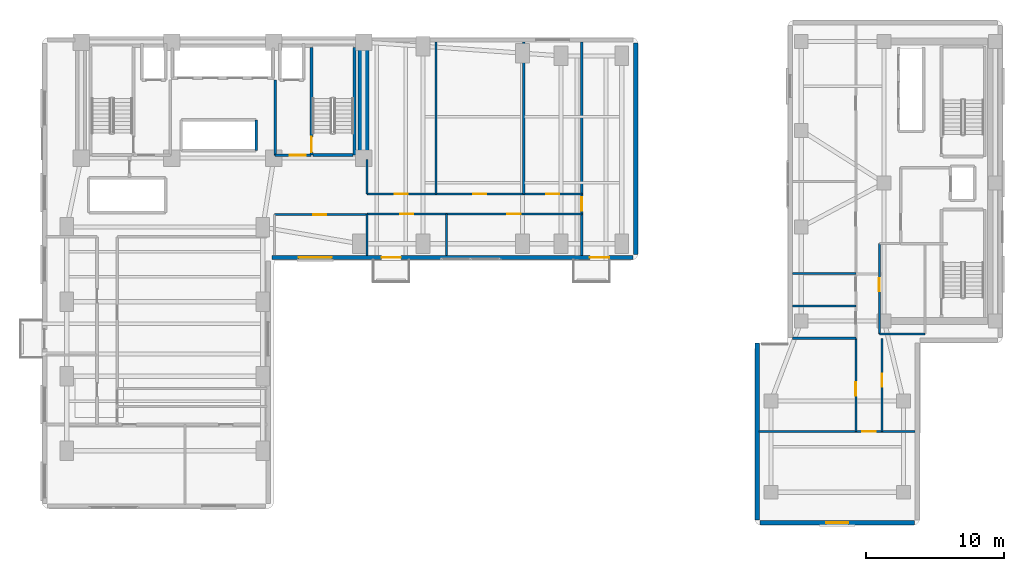
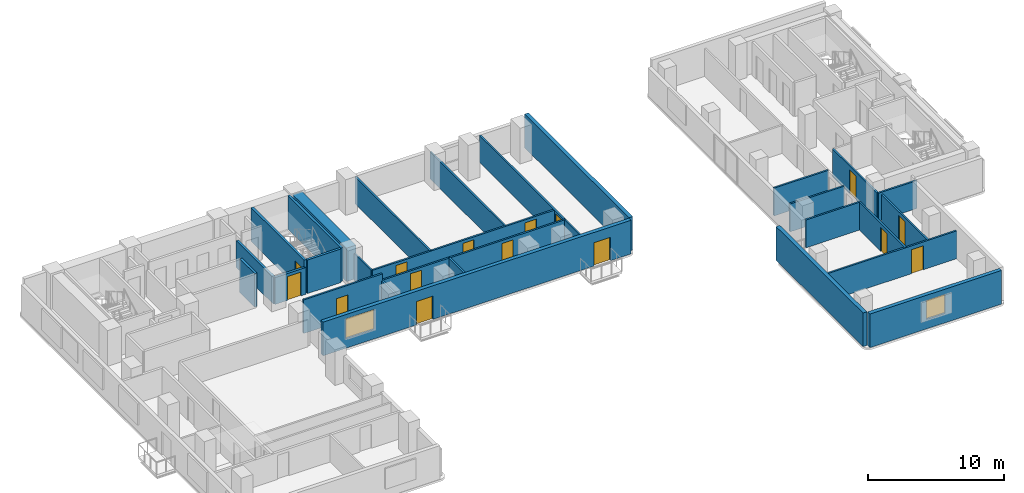
# One storey, part 11 of 17: 28 walls, 15 doors, 2 windows, 17 openings.
"""IFC4 building model written with IfcOpenShell, lengths in metres."""

from ifc_helpers import new_model, si_unit, direction, frame, frame_2d, origin, place, context, subcontext, project, spatial, rectangle, extrude, material, layer, layer_set, type_object, element, fill, save


model = new_model("IFC4")

# Units and contexts
model_context = context("Model", 3, precision=1e-05, world=origin(), true_north=direction((0.0, 1.0)))
body_context = subcontext(model_context, "Body", "Model", "MODEL_VIEW")
ifc_project = project(units=[si_unit("LENGTHUNIT", "METRE"), si_unit("AREAUNIT", "SQUARE_METRE"), si_unit("VOLUMEUNIT", "CUBIC_METRE"), si_unit("PLANEANGLEUNIT", "RADIAN"), si_unit("MASSUNIT", "GRAM", prefix="KILO")], contexts=[model_context])

# Site, building, storey
site_placement = place(None, origin())
site = spatial("IfcSite", under=ifc_project, at=site_placement, CompositionType="ELEMENT")
building_placement = place(site_placement, origin())
building = spatial("IfcBuilding", under=site, at=building_placement, Name="Kuzgunbayir Cultural Tower", CompositionType="ELEMENT")
storey_placement = place(building_placement, frame((0.0, 0.0, 46.800048828125)))
storey = spatial("IfcBuildingStorey", under=building, at=storey_placement, Name="L12", CompositionType="ELEMENT", Elevation=46.800048828125)

# Wall
ifc_material_1 = material(Name="Concrete C60/75", Category="concrete")
ifc_layer_1 = layer(ifc_material_1, 0.800048828125)
ifc_layer_set_1 = layer_set([ifc_layer_1], Name="Concrete C60/75")
wall_type_1 = type_object("IfcWallType", Name="WAL-CORE-800", PredefinedType="SHEAR", material=ifc_layer_set_1)
wall_1_placement = place(storey_placement, frame((26.89990234375, 33.800048828125, 0.0), z_axis=(0.0, 0.0, 1.0), x_axis=(0.0, 1.0, 0.0)))
element("IfcWall", 1, at=wall_1_placement, inside=storey, type_object=wall_type_1, Name="L12 T1 Core East Shear Wall", PredefinedType="SHEAR", context=body_context, shape_type="SweptSolid", body=[
    extrude(rectangle(XDim=7.949951171875, YDim=0.800048828125, at=frame_2d((3.97509765625, 0.0))), origin(), (0.0, 0.0, 1.0), 3.02001953125),
])

# Wall, openings, doors, window
ifc_material_2 = material(Name="Travertine Buff Ashlar", Category="masonry")
ifc_layer_2 = layer(ifc_material_2, 0.320068359375)
ifc_layer_set_2 = layer_set([ifc_layer_2], Name="Travertine Buff Ashlar")
wall_type_2 = type_object("IfcWallType", Name="WAL-EXT-STONE-320", PredefinedType="STANDARD", material=ifc_layer_set_2)
wall_2_placement = place(storey_placement, frame((20.25, 26.60009765625, 0.0), z_axis=(0.0, 0.0, 1.0), x_axis=(1.0, 0.0, 0.0)))
wall_2 = element("IfcWall", 2, at=wall_2_placement, inside=storey, type_object=wall_type_2, Name="L12 Wing B South Limestone Wall", PredefinedType="STANDARD", context=body_context, shape_type="SweptSolid", body=[
    extrude(rectangle(XDim=26.14990234375, YDim=0.320068359375, at=frame_2d((13.074951171875, 0.0))), origin(), (0.0, 0.0, 1.0), 3.02001953125),
])
opening_1_placement = place(wall_2_placement, frame((7.949951171875, 0.0, 0.0)))
opening_1 = element("IfcOpeningElement", 3, at=opening_1_placement, cuts=wall_2, Name="Opening BD-15", PredefinedType="OPENING", context=body_context, shape_type="SweptSolid", body=[
    extrude(rectangle(XDim=1.39990234375, YDim=2.10009765625, at=frame_2d((0.699951171875, 1.050048828125))), frame((0.0, 0.169921875, 0.0), z_axis=(0.0, -1.0, 0.0), x_axis=(1.0, 0.0, 0.0)), (0.0, 0.0, 1.0), 0.340087890625),
])
opening_2_placement = place(wall_2_placement, frame((23.030029296875, 0.0, 0.0)))
opening_2 = element("IfcOpeningElement", 4, at=opening_2_placement, cuts=wall_2, Name="Opening BD-15", PredefinedType="OPENING", context=body_context, shape_type="SweptSolid", body=[
    extrude(rectangle(XDim=1.39990234375, YDim=2.10009765625, at=frame_2d((0.699951171875, 1.050048828125))), frame((0.0, 0.169921875, 0.0), z_axis=(0.0, -1.0, 0.0), x_axis=(1.0, 0.0, 0.0)), (0.0, 0.0, 1.0), 0.340087890625),
])
opening_3_placement = place(wall_2_placement, frame((1.949951171875, 0.0, 0.85009765625)))
opening_3 = element("IfcOpeningElement", 5, at=opening_3_placement, cuts=wall_2, Name="Opening WO-24", PredefinedType="OPENING", context=body_context, shape_type="SweptSolid", body=[
    extrude(rectangle(XDim=2.39990234375, YDim=1.800048828125, at=frame_2d((1.199951171875, 0.89990234375))), frame((0.0, 0.169921875, 0.0), z_axis=(0.0, -1.0, 0.0), x_axis=(1.0, 0.0, 0.0)), (0.0, 0.0, 1.0), 0.340087890625),
])
ifc_material_3 = material(Name="Thermally Broken Glazed Aluminium", Category="aluminium")
door_type_1 = type_object("IfcDoorType", Name="DR-BALCONY-150", OperationType="SLIDING_TO_RIGHT", PredefinedType="DOOR", material=ifc_material_3)
door_1_placement = place(opening_1_placement, origin())
door_1 = element("IfcDoor", 6, at=door_1_placement, inside=storey, type_object=door_type_1, Name="L12 South Balcony Sliding Door BAL-L12-WB1", OperationType="SLIDING_TO_RIGHT", OverallHeight=2.10009765625, OverallWidth=1.39990234375, PredefinedType="DOOR", context=body_context, shape_type="SweptSolid", body=[
    extrude(rectangle(XDim=1.39990234375, YDim=2.10009765625, at=frame_2d((0.699951171875, 1.050048828125))), frame((0.0, 0.02490234375, 0.0), z_axis=(0.0, -1.0, 0.0), x_axis=(1.0, 0.0, 0.0)), (0.0, 0.0, 1.0), 0.050048828125),
])
fill(opening_1, door_1)
door_2_placement = place(opening_2_placement, origin())
door_2 = element("IfcDoor", 7, at=door_2_placement, inside=storey, type_object=door_type_1, Name="L12 South Balcony Sliding Door BAL-L12-WB3", OperationType="SLIDING_TO_RIGHT", OverallHeight=2.10009765625, OverallWidth=1.39990234375, PredefinedType="DOOR", context=body_context, shape_type="SweptSolid", body=[
    extrude(rectangle(XDim=1.39990234375, YDim=2.10009765625, at=frame_2d((0.699951171875, 1.050048828125))), frame((0.0, 0.02490234375, 0.0), z_axis=(0.0, -1.0, 0.0), x_axis=(1.0, 0.0, 0.0)), (0.0, 0.0, 1.0), 0.050048828125),
])
fill(opening_2, door_2)
ifc_material_4 = material(Name="Solar-Control Triple Glazing", Category="glass")
window_type_1 = type_object("IfcWindowType", Name="WIN-OFFICE-24", PartitioningType="SINGLE_PANEL", PredefinedType="WINDOW", material=ifc_material_4)
window_1_placement = place(opening_3_placement, origin())
window_1 = element("IfcWindow", 8, at=window_1_placement, inside=storey, type_object=window_type_1, Name="L12 WBS Facade Window 9", OverallHeight=1.800048828125, OverallWidth=2.39990234375, PartitioningType="SINGLE_PANEL", PredefinedType="WINDOW", context=body_context, shape_type="SweptSolid", body=[
    extrude(rectangle(XDim=2.39990234375, YDim=1.800048828125, at=frame_2d((1.199951171875, 0.89990234375))), frame((0.0, 0.030029296875, 0.0), z_axis=(0.0, -1.0, 0.0), x_axis=(1.0, 0.0, 0.0)), (0.0, 0.0, 1.0), 0.06005859375),
])
fill(opening_3, window_1)

# Wall
wall_3_placement = place(storey_placement, frame((46.60009765625, 26.800048828125, 0.0), z_axis=(0.0, 0.0, 1.0), x_axis=(0.0, 1.0, 0.0)))
element("IfcWall", 9, at=wall_3_placement, inside=storey, type_object=wall_type_2, Name="L12 Wing B East Limestone Wall", PredefinedType="STANDARD", context=body_context, shape_type="SweptSolid", body=[
    extrude(rectangle(XDim=15.349853515625, YDim=0.320068359375, at=frame_2d((7.6748046875, 0.0))), origin(), (0.0, 0.0, 1.0), 3.02001953125),
])

# Wall, opening, window
wall_4_placement = place(storey_placement, frame((55.60009765625, 7.39990234375, 0.0), z_axis=(0.0, 0.0, 1.0), x_axis=(1.0, 0.0, 0.0)))
wall_4 = element("IfcWall", 10, at=wall_4_placement, inside=storey, type_object=wall_type_2, Name="L12 Companion Wing B South Wall", PredefinedType="STANDARD", context=body_context, shape_type="SweptSolid", body=[
    extrude(rectangle(XDim=11.199951171875, YDim=0.320068359375, at=frame_2d((5.60009765625, 0.0))), origin(), (0.0, 0.0, 1.0), 3.02001953125),
])
opening_4_placement = place(wall_4_placement, frame((4.800048828125, 0.0, 0.85009765625)))
opening_4 = element("IfcOpeningElement", 11, at=opening_4_placement, cuts=wall_4, Name="Opening WC-16", PredefinedType="OPENING", context=body_context, shape_type="SweptSolid", body=[
    extrude(rectangle(XDim=1.60009765625, YDim=1.699951171875, at=frame_2d((0.800048828125, 0.85009765625))), frame((0.0, 0.169921875, 0.0), z_axis=(0.0, -1.0, 0.0), x_axis=(1.0, 0.0, 0.0)), (0.0, 0.0, 1.0), 0.340087890625),
])
window_type_2 = type_object("IfcWindowType", Name="WIN-COMP-16", PartitioningType="SINGLE_PANEL", PredefinedType="WINDOW", material=ifc_material_4)
window_2_placement = place(opening_4_placement, origin())
window_2 = element("IfcWindow", 12, at=window_2_placement, inside=storey, type_object=window_type_2, Name="L12 Companion South Window", OverallHeight=1.699951171875, OverallWidth=1.60009765625, PartitioningType="SINGLE_PANEL", PredefinedType="WINDOW", context=body_context, shape_type="SweptSolid", body=[
    extrude(rectangle(XDim=1.60009765625, YDim=1.699951171875, at=frame_2d((0.800048828125, 0.85009765625))), frame((0.0, 0.030029296875, 0.0), z_axis=(0.0, -1.0, 0.0), x_axis=(1.0, 0.0, 0.0)), (0.0, 0.0, 1.0), 0.06005859375),
])
fill(opening_4, window_2)

# Wall
wall_5_placement = place(storey_placement, frame((55.39990234375, 20.39990234375, 0.0), z_axis=(0.0, 0.0, 1.0), x_axis=(0.0, -1.0, 0.0)))
element("IfcWall", 13, at=wall_5_placement, inside=storey, type_object=wall_type_2, Name="L12 Companion Wing B West Wall", PredefinedType="STANDARD", context=body_context, shape_type="SweptSolid", body=[
    extrude(rectangle(XDim=12.7998046875, YDim=0.320068359375, at=frame_2d((6.39990234375, 0.0))), origin(), (0.0, 0.0, 1.0), 3.02001953125),
])

# Wall, opening, door
ifc_material_5 = material(Name="Acoustic Double-Stud Drywall", Category="gypsum")
ifc_layer_3 = layer(ifc_material_5, 0.14990234375)
ifc_layer_set_3 = layer_set([ifc_layer_3], Name="Acoustic Double-Stud Drywall")
wall_type_3 = type_object("IfcWallType", Name="WAL-PART-ACOUSTIC-150", PredefinedType="PARTITIONING", material=ifc_layer_set_3)
wall_6_placement = place(storey_placement, frame((20.449951171875, 29.699951171875, 0.0), z_axis=(0.0, 0.0, 1.0), x_axis=(1.0, 0.0, 0.0)))
wall_6 = element("IfcWall", 14, at=wall_6_placement, inside=storey, type_object=wall_type_3, Name="L12 Waist Alcove North Wall", PredefinedType="PARTITIONING", context=body_context, shape_type="SweptSolid", body=[
    extrude(rectangle(XDim=6.699951171875, YDim=0.14990234375, at=frame_2d((3.35009765625, 0.0))), origin(), (0.0, 0.0, 1.0), 3.02001953125),
])
opening_5_placement = place(wall_6_placement, frame((2.800048828125, 0.0, 0.0)))
opening_5 = element("IfcOpeningElement", 15, at=opening_5_placement, cuts=wall_6, Name="Opening DI-90", PredefinedType="OPENING", context=body_context, shape_type="SweptSolid", body=[
    extrude(rectangle(XDim=0.949951171875, YDim=2.14990234375, at=frame_2d((0.47509765625, 1.074951171875))), frame((0.0, 0.0849609375, 0.0), z_axis=(0.0, -1.0, 0.0), x_axis=(1.0, 0.0, 0.0)), (0.0, 0.0, 1.0), 0.169921875),
])
ifc_material_6 = material(Name="Veneered Oak Single Leaf", Category="wood")
door_type_2 = type_object("IfcDoorType", Name="DR-INT-90", OperationType="NOTDEFINED", PredefinedType="DOOR", material=ifc_material_6)
door_3_placement = place(opening_5_placement, origin())
door_3 = element("IfcDoor", 16, at=door_3_placement, inside=storey, type_object=door_type_2, Name="L12 Waist Alcove Door", OperationType="SINGLE_SWING_RIGHT", OverallHeight=2.14990234375, OverallWidth=0.949951171875, PredefinedType="DOOR", context=body_context, shape_type="SweptSolid", body=[
    extrude(rectangle(XDim=0.949951171875, YDim=2.14990234375, at=frame_2d((0.47509765625, 1.074951171875))), frame((0.0, 0.02490234375, 0.0), z_axis=(0.0, -1.0, 0.0), x_axis=(1.0, 0.0, 0.0)), (0.0, 0.0, 1.0), 0.050048828125),
])
fill(opening_5, door_3)

# Wall
wall_7_placement = place(storey_placement, frame((27.14990234375, 26.75, 0.0), z_axis=(0.0, 0.0, 1.0), x_axis=(0.0, 1.0, 0.0)))
element("IfcWall", 17, at=wall_7_placement, inside=storey, type_object=wall_type_3, Name="L12 Waist Alcove East Wall", PredefinedType="PARTITIONING", context=body_context, shape_type="SweptSolid", body=[
    extrude(rectangle(XDim=3.0, YDim=0.14990234375, at=frame_2d((1.5, 0.0))), origin(), (0.0, 0.0, 1.0), 2.409912109375),
])

# Wall, openings, doors
wall_8_placement = place(storey_placement, frame((27.14990234375, 29.75, 0.0), z_axis=(0.0, 0.0, 1.0), x_axis=(1.0, 0.0, 0.0)))
wall_8 = element("IfcWall", 18, at=wall_8_placement, inside=storey, type_object=wall_type_3, Name="L12 Wing B Corridor South Wall", PredefinedType="PARTITIONING", context=body_context, shape_type="SweptSolid", body=[
    extrude(rectangle(XDim=15.550048828125, YDim=0.14990234375, at=frame_2d((7.77490234375, 0.0))), origin(), (0.0, 0.0, 1.0), 2.409912109375),
])
opening_6_placement = place(wall_8_placement, frame((2.39990234375, 0.0, 0.0)))
opening_6 = element("IfcOpeningElement", 19, at=opening_6_placement, cuts=wall_8, Name="Opening DI-90", PredefinedType="OPENING", context=body_context, shape_type="SweptSolid", body=[
    extrude(rectangle(XDim=0.949951171875, YDim=2.14990234375, at=frame_2d((0.47509765625, 1.074951171875))), frame((0.0, 0.0849609375, 0.0), z_axis=(0.0, -1.0, 0.0), x_axis=(1.0, 0.0, 0.0)), (0.0, 0.0, 1.0), 0.169921875),
])
opening_7_placement = place(wall_8_placement, frame((10.169921875, 0.0, 0.0)))
opening_7 = element("IfcOpeningElement", 20, at=opening_7_placement, cuts=wall_8, Name="Opening DI-90", PredefinedType="OPENING", context=body_context, shape_type="SweptSolid", body=[
    extrude(rectangle(XDim=0.949951171875, YDim=2.14990234375, at=frame_2d((0.47509765625, 1.074951171875))), frame((0.0, 0.0849609375, 0.0), z_axis=(0.0, -1.0, 0.0), x_axis=(1.0, 0.0, 0.0)), (0.0, 0.0, 1.0), 0.169921875),
])
door_4_placement = place(opening_6_placement, origin())
door_4 = element("IfcDoor", 21, at=door_4_placement, inside=storey, type_object=door_type_2, Name="L12 Wing B Curatorial Office 1 Door", OperationType="SINGLE_SWING_LEFT", OverallHeight=2.14990234375, OverallWidth=0.949951171875, PredefinedType="DOOR", context=body_context, shape_type="SweptSolid", body=[
    extrude(rectangle(XDim=0.949951171875, YDim=2.14990234375, at=frame_2d((0.47509765625, 1.074951171875))), frame((0.0, 0.02490234375, 0.0), z_axis=(0.0, -1.0, 0.0), x_axis=(1.0, 0.0, 0.0)), (0.0, 0.0, 1.0), 0.050048828125),
])
fill(opening_6, door_4)
door_5_placement = place(opening_7_placement, origin())
door_5 = element("IfcDoor", 22, at=door_5_placement, inside=storey, type_object=door_type_2, Name="L12 Wing B Fellows Reading Lounge 2 Door", OperationType="SINGLE_SWING_RIGHT", OverallHeight=2.14990234375, OverallWidth=0.949951171875, PredefinedType="DOOR", context=body_context, shape_type="SweptSolid", body=[
    extrude(rectangle(XDim=0.949951171875, YDim=2.14990234375, at=frame_2d((0.47509765625, 1.074951171875))), frame((0.0, 0.02490234375, 0.0), z_axis=(0.0, -1.0, 0.0), x_axis=(1.0, 0.0, 0.0)), (0.0, 0.0, 1.0), 0.050048828125),
])
fill(opening_7, door_5)

wall_9_placement = place(storey_placement, frame((27.14990234375, 31.199951171875, 0.0), z_axis=(0.0, 0.0, 1.0), x_axis=(1.0, 0.0, 0.0)))
wall_9 = element("IfcWall", 23, at=wall_9_placement, inside=storey, type_object=wall_type_3, Name="L12 Wing B Corridor North Wall", PredefinedType="PARTITIONING", context=body_context, shape_type="SweptSolid", body=[
    extrude(rectangle(XDim=15.550048828125, YDim=0.14990234375, at=frame_2d((7.77490234375, 0.0))), origin(), (0.0, 0.0, 1.0), 2.409912109375),
])
opening_8_placement = place(wall_9_placement, frame((2.010009765625, 0.0, 0.0)))
opening_8 = element("IfcOpeningElement", 24, at=opening_8_placement, cuts=wall_9, Name="Opening DI-90", PredefinedType="OPENING", context=body_context, shape_type="SweptSolid", body=[
    extrude(rectangle(XDim=0.949951171875, YDim=2.14990234375, at=frame_2d((0.47509765625, 1.074951171875))), frame((0.0, 0.0849609375, 0.0), z_axis=(0.0, -1.0, 0.0), x_axis=(1.0, 0.0, 0.0)), (0.0, 0.0, 1.0), 0.169921875),
])
opening_9_placement = place(wall_9_placement, frame((7.679931640625, 0.0, 0.0)))
opening_9 = element("IfcOpeningElement", 25, at=opening_9_placement, cuts=wall_9, Name="Opening DI-90", PredefinedType="OPENING", context=body_context, shape_type="SweptSolid", body=[
    extrude(rectangle(XDim=0.949951171875, YDim=2.14990234375, at=frame_2d((0.47509765625, 1.074951171875))), frame((0.0, 0.0849609375, 0.0), z_axis=(0.0, -1.0, 0.0), x_axis=(1.0, 0.0, 0.0)), (0.0, 0.0, 1.0), 0.169921875),
])
opening_10_placement = place(wall_9_placement, frame((12.969970703125, 0.0, 0.0)))
opening_10 = element("IfcOpeningElement", 26, at=opening_10_placement, cuts=wall_9, Name="Opening DI-90", PredefinedType="OPENING", context=body_context, shape_type="SweptSolid", body=[
    extrude(rectangle(XDim=0.949951171875, YDim=2.14990234375, at=frame_2d((0.47509765625, 1.074951171875))), frame((0.0, 0.0849609375, 0.0), z_axis=(0.0, -1.0, 0.0), x_axis=(1.0, 0.0, 0.0)), (0.0, 0.0, 1.0), 0.169921875),
])
door_6_placement = place(opening_8_placement, origin())
door_6 = element("IfcDoor", 27, at=door_6_placement, inside=storey, type_object=door_type_2, Name="L12 Wing B North Curatorial Office 1 Door", OperationType="SINGLE_SWING_LEFT", OverallHeight=2.14990234375, OverallWidth=0.949951171875, PredefinedType="DOOR", context=body_context, shape_type="SweptSolid", body=[
    extrude(rectangle(XDim=0.949951171875, YDim=2.14990234375, at=frame_2d((0.47509765625, 1.074951171875))), frame((0.0, 0.02490234375, 0.0), z_axis=(0.0, -1.0, 0.0), x_axis=(1.0, 0.0, 0.0)), (0.0, 0.0, 1.0), 0.050048828125),
])
fill(opening_8, door_6)
door_7_placement = place(opening_9_placement, origin())
door_7 = element("IfcDoor", 28, at=door_7_placement, inside=storey, type_object=door_type_2, Name="L12 Wing B North Seminar Boardroom 2 Door", OperationType="SINGLE_SWING_RIGHT", OverallHeight=2.14990234375, OverallWidth=0.949951171875, PredefinedType="DOOR", context=body_context, shape_type="SweptSolid", body=[
    extrude(rectangle(XDim=0.949951171875, YDim=2.14990234375, at=frame_2d((0.47509765625, 1.074951171875))), frame((0.0, 0.02490234375, 0.0), z_axis=(0.0, -1.0, 0.0), x_axis=(1.0, 0.0, 0.0)), (0.0, 0.0, 1.0), 0.050048828125),
])
fill(opening_9, door_7)
door_8_placement = place(opening_10_placement, origin())
door_8 = element("IfcDoor", 29, at=door_8_placement, inside=storey, type_object=door_type_2, Name="L12 Wing B North Wellness Consultation Studio 3 Door", OperationType="SINGLE_SWING_LEFT", OverallHeight=2.14990234375, OverallWidth=0.949951171875, PredefinedType="DOOR", context=body_context, shape_type="SweptSolid", body=[
    extrude(rectangle(XDim=0.949951171875, YDim=2.14990234375, at=frame_2d((0.47509765625, 1.074951171875))), frame((0.0, 0.02490234375, 0.0), z_axis=(0.0, -1.0, 0.0), x_axis=(1.0, 0.0, 0.0)), (0.0, 0.0, 1.0), 0.050048828125),
])
fill(opening_10, door_8)

# Wall
wall_10_placement = place(storey_placement, frame((27.14990234375, 31.199951171875, 0.0), z_axis=(0.0, 0.0, 1.0), x_axis=(0.0, 1.0, 0.0)))
element("IfcWall", 30, at=wall_10_placement, inside=storey, type_object=wall_type_3, Name="L12 Wing B North Core Closure Wall", PredefinedType="PARTITIONING", context=body_context, shape_type="SweptSolid", body=[
    extrude(rectangle(XDim=2.47998046875, YDim=0.14990234375, at=frame_2d((1.239990234375, 0.0))), origin(), (0.0, 0.0, 1.0), 2.409912109375),
])

# Wall, opening, door
wall_11_placement = place(storey_placement, frame((42.699951171875, 26.75, 0.0), z_axis=(0.0, 0.0, 1.0), x_axis=(0.0, 1.0, 0.0)))
wall_11 = element("IfcWall", 31, at=wall_11_placement, inside=storey, type_object=wall_type_3, Name="L12 Wing B East Suite Wall", PredefinedType="PARTITIONING", context=body_context, shape_type="SweptSolid", body=[
    extrude(rectangle(XDim=15.449951171875, YDim=0.14990234375, at=frame_2d((7.72509765625, 0.0))), origin(), (0.0, 0.0, 1.0), 2.409912109375),
])
opening_11_placement = place(wall_11_placement, frame((3.219970703125, 0.0, 0.0)))
opening_11 = element("IfcOpeningElement", 32, at=opening_11_placement, cuts=wall_11, Name="Opening DI-100", PredefinedType="OPENING", context=body_context, shape_type="SweptSolid", body=[
    extrude(rectangle(XDim=1.0, YDim=2.14990234375, at=frame_2d((0.5, 1.074951171875))), frame((0.0, 0.0849609375, 0.0), z_axis=(0.0, -1.0, 0.0), x_axis=(1.0, 0.0, 0.0)), (0.0, 0.0, 1.0), 0.169921875),
])
door_type_3 = type_object("IfcDoorType", Name="DR-INT-100", OperationType="NOTDEFINED", PredefinedType="DOOR", material=ifc_material_6)
door_9_placement = place(opening_11_placement, origin())
door_9 = element("IfcDoor", 33, at=door_9_placement, inside=storey, type_object=door_type_3, Name="L12 East Conference Hall Door", OperationType="SINGLE_SWING_RIGHT", OverallHeight=2.14990234375, OverallWidth=1.0, PredefinedType="DOOR", context=body_context, shape_type="SweptSolid", body=[
    extrude(rectangle(XDim=1.0, YDim=2.14990234375, at=frame_2d((0.5, 1.074951171875))), frame((0.0, 0.02490234375, 0.0), z_axis=(0.0, -1.0, 0.0), x_axis=(1.0, 0.0, 0.0)), (0.0, 0.0, 1.0), 0.050048828125),
])
fill(opening_11, door_9)

# Walls
wall_12_placement = place(storey_placement, frame((32.89990234375, 26.75, 0.0), z_axis=(0.0, 0.0, 1.0), x_axis=(0.0, 1.0, 0.0)))
element("IfcWall", 34, at=wall_12_placement, inside=storey, type_object=wall_type_3, Name="L12 Wing B South Partition 1", PredefinedType="PARTITIONING", context=body_context, shape_type="SweptSolid", body=[
    extrude(rectangle(XDim=3.0, YDim=0.14990234375, at=frame_2d((1.5, 0.0))), origin(), (0.0, 0.0, 1.0), 2.409912109375),
])
for number, where, z_axis, x_axis, name in (
    (35, (32.1298828125, 31.199951171875, 0.0), (0.0, 0.0, 1.0), (0.0, 1.0, 0.0), "L12 Wing B North Partition 1"),
    (36, (38.5, 31.199951171875, 0.0), (0.0, 0.0, 1.0), (0.0, 1.0, 0.0), "L12 Wing B North Partition 2"),
):
    element("IfcWall", number, at=place(storey_placement, frame(where, z_axis=z_axis, x_axis=x_axis)), inside=storey, type_object=wall_type_3, Name=name, PredefinedType="PARTITIONING", context=body_context, shape_type="SweptSolid", body=[
        extrude(rectangle(XDim=11.0, YDim=0.14990234375, at=frame_2d((5.5, 0.0))), origin(), (0.0, 0.0, 1.0), 2.409912109375),
    ])

# Wall, opening, door
wall_13_placement = place(storey_placement, frame((64.25, 21.050048828125, 0.0), z_axis=(0.0, 0.0, 1.0), x_axis=(0.0, 1.0, 0.0)))
wall_13 = element("IfcWall", 37, at=wall_13_placement, inside=storey, type_object=wall_type_3, Name="L12 Companion Archive West Wall", PredefinedType="PARTITIONING", context=body_context, shape_type="SweptSolid", body=[
    extrude(rectangle(XDim=6.550048828125, YDim=0.14990234375, at=frame_2d((3.27490234375, 0.0))), origin(), (0.0, 0.0, 1.0), 2.5),
])
opening_12_placement = place(wall_13_placement, frame((3.10009765625, 0.0, 0.0)))
opening_12 = element("IfcOpeningElement", 38, at=opening_12_placement, cuts=wall_13, Name="Opening DI-90", PredefinedType="OPENING", context=body_context, shape_type="SweptSolid", body=[
    extrude(rectangle(XDim=0.949951171875, YDim=2.14990234375, at=frame_2d((0.47509765625, 1.074951171875))), frame((0.0, 0.0849609375, 0.0), z_axis=(0.0, -1.0, 0.0), x_axis=(1.0, 0.0, 0.0)), (0.0, 0.0, 1.0), 0.169921875),
])
door_10_placement = place(opening_12_placement, origin())
door_10 = element("IfcDoor", 39, at=door_10_placement, inside=storey, type_object=door_type_2, Name="L12 Companion Archive Door", OperationType="SINGLE_SWING_RIGHT", OverallHeight=2.14990234375, OverallWidth=0.949951171875, PredefinedType="DOOR", context=body_context, shape_type="SweptSolid", body=[
    extrude(rectangle(XDim=0.949951171875, YDim=2.14990234375, at=frame_2d((0.47509765625, 1.074951171875))), frame((0.0, 0.02490234375, 0.0), z_axis=(0.0, -1.0, 0.0), x_axis=(1.0, 0.0, 0.0)), (0.0, 0.0, 1.0), 0.050048828125),
])
fill(opening_12, door_10)

# Wall
wall_14_placement = place(storey_placement, frame((64.25, 21.050048828125, 0.0), z_axis=(0.0, 0.0, 1.0), x_axis=(1.0, 0.0, 0.0)))
element("IfcWall", 40, at=wall_14_placement, inside=storey, type_object=wall_type_3, Name="L12 Companion Archive South Wall", PredefinedType="PARTITIONING", context=body_context, shape_type="SweptSolid", body=[
    extrude(rectangle(XDim=3.300048828125, YDim=0.14990234375, at=frame_2d((1.64990234375, 0.0))), origin(), (0.0, 0.0, 1.0), 2.5),
])

# Wall, opening, door
wall_15_placement = place(storey_placement, frame((62.550048828125, 14.0, 0.0), z_axis=(0.0, 0.0, 1.0), x_axis=(0.0, 1.0, 0.0)))
wall_15 = element("IfcWall", 41, at=wall_15_placement, inside=storey, type_object=wall_type_3, Name="L12 Companion South Corridor West Wall", PredefinedType="PARTITIONING", context=body_context, shape_type="SweptSolid", body=[
    extrude(rectangle(XDim=6.75, YDim=0.14990234375, at=frame_2d((3.375, 0.0))), origin(), (0.0, 0.0, 1.0), 2.5),
])
opening_13_placement = place(wall_15_placement, frame((2.60009765625, 0.0, 0.0)))
opening_13 = element("IfcOpeningElement", 42, at=opening_13_placement, cuts=wall_15, Name="Opening DI-90", PredefinedType="OPENING", context=body_context, shape_type="SweptSolid", body=[
    extrude(rectangle(XDim=0.949951171875, YDim=2.14990234375, at=frame_2d((0.47509765625, 1.074951171875))), frame((0.0, 0.0849609375, 0.0), z_axis=(0.0, -1.0, 0.0), x_axis=(1.0, 0.0, 0.0)), (0.0, 0.0, 1.0), 0.169921875),
])
door_11_placement = place(opening_13_placement, origin())
door_11 = element("IfcDoor", 43, at=door_11_placement, inside=storey, type_object=door_type_2, Name="L12 Companion West Atelier Door", OperationType="SINGLE_SWING_LEFT", OverallHeight=2.14990234375, OverallWidth=0.949951171875, PredefinedType="DOOR", context=body_context, shape_type="SweptSolid", body=[
    extrude(rectangle(XDim=0.949951171875, YDim=2.14990234375, at=frame_2d((0.47509765625, 1.074951171875))), frame((0.0, 0.02490234375, 0.0), z_axis=(0.0, -1.0, 0.0), x_axis=(1.0, 0.0, 0.0)), (0.0, 0.0, 1.0), 0.050048828125),
])
fill(opening_13, door_11)

wall_16_placement = place(storey_placement, frame((55.550048828125, 14.0, 0.0), z_axis=(0.0, 0.0, 1.0), x_axis=(1.0, 0.0, 0.0)))
wall_16 = element("IfcWall", 44, at=wall_16_placement, inside=storey, type_object=wall_type_3, Name="L12 Companion South Gallery Wall", PredefinedType="PARTITIONING", context=body_context, shape_type="SweptSolid", body=[
    extrude(rectangle(XDim=11.300048828125, YDim=0.14990234375, at=frame_2d((5.64990234375, 0.0))), origin(), (0.0, 0.0, 1.0), 2.5),
])
opening_14_placement = place(wall_16_placement, frame((7.449951171875, 0.0, 0.0)))
opening_14 = element("IfcOpeningElement", 45, at=opening_14_placement, cuts=wall_16, Name="Opening DI-100", PredefinedType="OPENING", context=body_context, shape_type="SweptSolid", body=[
    extrude(rectangle(XDim=1.0, YDim=2.14990234375, at=frame_2d((0.5, 1.074951171875))), frame((0.0, 0.0849609375, 0.0), z_axis=(0.0, -1.0, 0.0), x_axis=(1.0, 0.0, 0.0)), (0.0, 0.0, 1.0), 0.169921875),
])
door_12_placement = place(opening_14_placement, origin())
door_12 = element("IfcDoor", 46, at=door_12_placement, inside=storey, type_object=door_type_3, Name="L12 Companion South Salon Door", OperationType="SINGLE_SWING_LEFT", OverallHeight=2.14990234375, OverallWidth=1.0, PredefinedType="DOOR", context=body_context, shape_type="SweptSolid", body=[
    extrude(rectangle(XDim=1.0, YDim=2.14990234375, at=frame_2d((0.5, 1.074951171875))), frame((0.0, 0.02490234375, 0.0), z_axis=(0.0, -1.0, 0.0), x_axis=(1.0, 0.0, 0.0)), (0.0, 0.0, 1.0), 0.050048828125),
])
fill(opening_14, door_12)

wall_17_placement = place(storey_placement, frame((64.449951171875, 14.0, 0.0), z_axis=(0.0, 0.0, 1.0), x_axis=(0.0, 1.0, 0.0)))
wall_17 = element("IfcWall", 47, at=wall_17_placement, inside=storey, type_object=wall_type_3, Name="L12 Companion South Corridor East Wall", PredefinedType="PARTITIONING", context=body_context, shape_type="SweptSolid", body=[
    extrude(rectangle(XDim=6.75, YDim=0.14990234375, at=frame_2d((3.375, 0.0))), origin(), (0.0, 0.0, 1.0), 2.5),
])
opening_15_placement = place(wall_17_placement, frame((3.239990234375, 0.0, 0.0)))
opening_15 = element("IfcOpeningElement", 48, at=opening_15_placement, cuts=wall_17, Name="Opening DI-90", PredefinedType="OPENING", context=body_context, shape_type="SweptSolid", body=[
    extrude(rectangle(XDim=0.949951171875, YDim=2.14990234375, at=frame_2d((0.47509765625, 1.074951171875))), frame((0.0, 0.0849609375, 0.0), z_axis=(0.0, -1.0, 0.0), x_axis=(1.0, 0.0, 0.0)), (0.0, 0.0, 1.0), 0.169921875),
])
door_13_placement = place(opening_15_placement, origin())
door_13 = element("IfcDoor", 49, at=door_13_placement, inside=storey, type_object=door_type_2, Name="L12 Companion East Studio Door", OperationType="SINGLE_SWING_RIGHT", OverallHeight=2.14990234375, OverallWidth=0.949951171875, PredefinedType="DOOR", context=body_context, shape_type="SweptSolid", body=[
    extrude(rectangle(XDim=0.949951171875, YDim=2.14990234375, at=frame_2d((0.47509765625, 1.074951171875))), frame((0.0, 0.02490234375, 0.0), z_axis=(0.0, -1.0, 0.0), x_axis=(1.0, 0.0, 0.0)), (0.0, 0.0, 1.0), 0.050048828125),
])
fill(opening_15, door_13)

# Wall
ifc_material_7 = material(Name="Aerated Concrete Blockwork", Category="masonry")
ifc_layer_4 = layer(ifc_material_7, 0.199951171875)
ifc_layer_set_4 = layer_set([ifc_layer_4], Name="Aerated Concrete Blockwork")
wall_type_4 = type_object("IfcWallType", Name="WAL-PART-FIRE-200", PredefinedType="PARTITIONING", material=ifc_layer_set_4)
wall_18_placement = place(storey_placement, frame((20.5, 34.0, 0.0), z_axis=(0.0, 0.0, 1.0), x_axis=(0.0, 1.0, 0.0)))
element("IfcWall", 50, at=wall_18_placement, inside=storey, type_object=wall_type_4, Name="L12 FFL-2 Lobby West Fire Wall", PredefinedType="PARTITIONING", context=body_context, shape_type="SweptSolid", body=[
    extrude(rectangle(XDim=5.449951171875, YDim=0.199951171875, at=frame_2d((2.72509765625, 0.0))), origin(), (0.0, 0.0, 1.0), 2.409912109375),
])

# Wall, opening, door
wall_19_placement = place(storey_placement, frame((20.5, 34.0, 0.0), z_axis=(0.0, 0.0, 1.0), x_axis=(1.0, 0.0, 0.0)))
wall_19 = element("IfcWall", 51, at=wall_19_placement, inside=storey, type_object=wall_type_4, Name="L12 FFL-2 Lobby South Fire Wall", PredefinedType="PARTITIONING", context=body_context, shape_type="SweptSolid", body=[
    extrude(rectangle(XDim=2.60009765625, YDim=0.199951171875, at=frame_2d((1.300048828125, 0.0))), origin(), (0.0, 0.0, 1.0), 2.409912109375),
])
opening_16_placement = place(wall_19_placement, frame((1.050048828125, 0.0, 0.0)))
opening_16 = element("IfcOpeningElement", 52, at=opening_16_placement, cuts=wall_19, Name="Opening DR-FFL-90", PredefinedType="OPENING", context=body_context, shape_type="SweptSolid", body=[
    extrude(rectangle(XDim=1.14990234375, YDim=2.14990234375, at=frame_2d((0.574951171875, 1.074951171875))), frame((0.0, 0.10986328125, 0.0), z_axis=(0.0, -1.0, 0.0), x_axis=(1.0, 0.0, 0.0)), (0.0, 0.0, 1.0), 0.219970703125),
])
ifc_material_8 = material(Name="Steel S355J2", Category="steel")
door_type_4 = type_object("IfcDoorType", Name="DR-FFL-90", OperationType="NOTDEFINED", PredefinedType="DOOR", material=ifc_material_8)
door_14_placement = place(opening_16_placement, origin())
door_14 = element("IfcDoor", 53, at=door_14_placement, inside=storey, type_object=door_type_4, Name="L12 Firefighting Lobby 2 Door", OperationType="SINGLE_SWING_RIGHT", OverallHeight=2.14990234375, OverallWidth=1.14990234375, PredefinedType="DOOR", context=body_context, shape_type="SweptSolid", body=[
    extrude(rectangle(XDim=1.14990234375, YDim=2.14990234375, at=frame_2d((0.574951171875, 1.074951171875))), frame((0.0, 0.02490234375, 0.0), z_axis=(0.0, -1.0, 0.0), x_axis=(1.0, 0.0, 0.0)), (0.0, 0.0, 1.0), 0.050048828125),
])
fill(opening_16, door_14)

# Walls
ifc_material_9 = material(Name="Moisture-Resistant Tile Partition", Category="gypsum")
ifc_layer_5 = layer(ifc_material_9, 0.14990234375)
ifc_layer_set_5 = layer_set([ifc_layer_5], Name="Moisture-Resistant Tile Partition")
wall_type_5 = type_object("IfcWallType", Name="WAL-PART-WET-150", PredefinedType="PARTITIONING", material=ifc_layer_set_5)
for number, where, z_axis, x_axis, name in (
    (54, (57.949951171875, 20.75, 0.0), (0.0, 0.0, 1.0), (1.0, 0.0, 0.0), "L12 Companion WC South Wall"),
    (55, (57.949951171875, 23.10009765625, 0.0), (0.0, 0.0, 1.0), (1.0, 0.0, 0.0), "L12 Companion WC North Wall"),
    (56, (57.949951171875, 25.449951171875, 0.0), (0.0, 0.0, 1.0), (1.0, 0.0, 0.0), "L12 Companion Accessible WC Wall"),
):
    element("IfcWall", number, at=place(storey_placement, frame(where, z_axis=z_axis, x_axis=x_axis)), inside=storey, type_object=wall_type_5, Name=name, PredefinedType="PARTITIONING", context=body_context, shape_type="SweptSolid", body=[
        extrude(rectangle(XDim=4.60009765625, YDim=0.14990234375, at=frame_2d((2.300048828125, 0.0))), origin(), (0.0, 0.0, 1.0), 2.5),
    ])
ifc_material_10 = material(Name="Concrete C40/50", Category="concrete")
ifc_layer_6 = layer(ifc_material_10, 0.199951171875)
ifc_layer_set_6 = layer_set([ifc_layer_6], Name="Concrete C40/50")
wall_type_6 = type_object("IfcWallType", Name="WAL-SHAFT-200", PredefinedType="MOVABLE", material=ifc_layer_set_6)
wall_20_placement = place(storey_placement, frame((19.1201171875, 34.35009765625, 0.0), z_axis=(0.0, 0.0, 1.0), x_axis=(0.0, 1.0, 0.0)))
element("IfcWall", 57, at=wall_20_placement, inside=storey, type_object=wall_type_6, Name="L12 Mid-Rise Lift Shaft East Wall", PredefinedType="MOVABLE", context=body_context, shape_type="SweptSolid", body=[
    extrude(rectangle(XDim=2.199951171875, YDim=0.199951171875, at=frame_2d((1.10009765625, 0.0))), origin(), (0.0, 0.0, 1.0), 3.02001953125),
])

# Wall, opening, door
ifc_layer_7 = layer(ifc_material_10, 0.199951171875)
ifc_layer_set_7 = layer_set([ifc_layer_7], Name="Concrete C40/50")
wall_type_7 = type_object("IfcWallType", Name="WAL-STAIR-RC-200", PredefinedType="SHEAR", material=ifc_layer_set_7)
wall_21_placement = place(storey_placement, frame((23.1201171875, 34.02001953125, 0.0), z_axis=(0.0, 0.0, 1.0), x_axis=(0.0, 1.0, 0.0)))
wall_21 = element("IfcWall", 58, at=wall_21_placement, inside=storey, type_object=wall_type_7, Name="L12 Stair ST-2 West Structural Wall", PredefinedType="SHEAR", context=body_context, shape_type="SweptSolid", body=[
    extrude(rectangle(XDim=7.780029296875, YDim=0.199951171875, at=frame_2d((3.89013671875, 0.0))), origin(), (0.0, 0.0, 1.0), 3.02001953125),
])
opening_17_placement = place(wall_21_placement, frame((0.219970703125, 0.0, 0.0)))
opening_17 = element("IfcOpeningElement", 59, at=opening_17_placement, cuts=wall_21, Name="Opening DR-STAIR-90", PredefinedType="OPENING", context=body_context, shape_type="SweptSolid", body=[
    extrude(rectangle(XDim=1.10009765625, YDim=2.14990234375, at=frame_2d((0.550048828125, 1.074951171875))), frame((0.0, 0.10986328125, 0.0), z_axis=(0.0, -1.0, 0.0), x_axis=(1.0, 0.0, 0.0)), (0.0, 0.0, 1.0), 0.219970703125),
])
door_type_5 = type_object("IfcDoorType", Name="DR-STAIR-90", OperationType="NOTDEFINED", PredefinedType="DOOR", material=ifc_material_8)
door_15_placement = place(opening_17_placement, origin())
door_15 = element("IfcDoor", 60, at=door_15_placement, inside=storey, type_object=door_type_5, Name="L12 Stair ST-2 Fire Door", OperationType="SINGLE_SWING_RIGHT", OverallHeight=2.14990234375, OverallWidth=1.10009765625, PredefinedType="DOOR", context=body_context, shape_type="SweptSolid", body=[
    extrude(rectangle(XDim=1.10009765625, YDim=2.14990234375, at=frame_2d((0.550048828125, 1.074951171875))), frame((0.0, 0.02490234375, 0.0), z_axis=(0.0, -1.0, 0.0), x_axis=(1.0, 0.0, 0.0)), (0.0, 0.0, 1.0), 0.050048828125),
])
fill(opening_17, door_15)

# Walls
wall_22_placement = place(storey_placement, frame((26.239990234375, 34.02001953125, 0.0), z_axis=(0.0, 0.0, 1.0), x_axis=(0.0, 1.0, 0.0)))
element("IfcWall", 61, at=wall_22_placement, inside=storey, type_object=wall_type_7, Name="L12 Stair ST-2 East Structural Wall", PredefinedType="SHEAR", context=body_context, shape_type="SweptSolid", body=[
    extrude(rectangle(XDim=7.780029296875, YDim=0.199951171875, at=frame_2d((3.89013671875, 0.0))), origin(), (0.0, 0.0, 1.0), 3.02001953125),
])
wall_23_placement = place(storey_placement, frame((23.239990234375, 34.02001953125, 0.0), z_axis=(0.0, 0.0, 1.0), x_axis=(1.0, 0.0, 0.0)))
element("IfcWall", 62, at=wall_23_placement, inside=storey, type_object=wall_type_7, Name="L12 Stair ST-2 South Structural Wall", PredefinedType="SHEAR", context=body_context, shape_type="SweptSolid", body=[
    extrude(rectangle(XDim=2.880126953125, YDim=0.199951171875, at=frame_2d((1.43994140625, 0.0))), origin(), (0.0, 0.0, 1.0), 3.02001953125),
])

save(model, "model.ifc")
